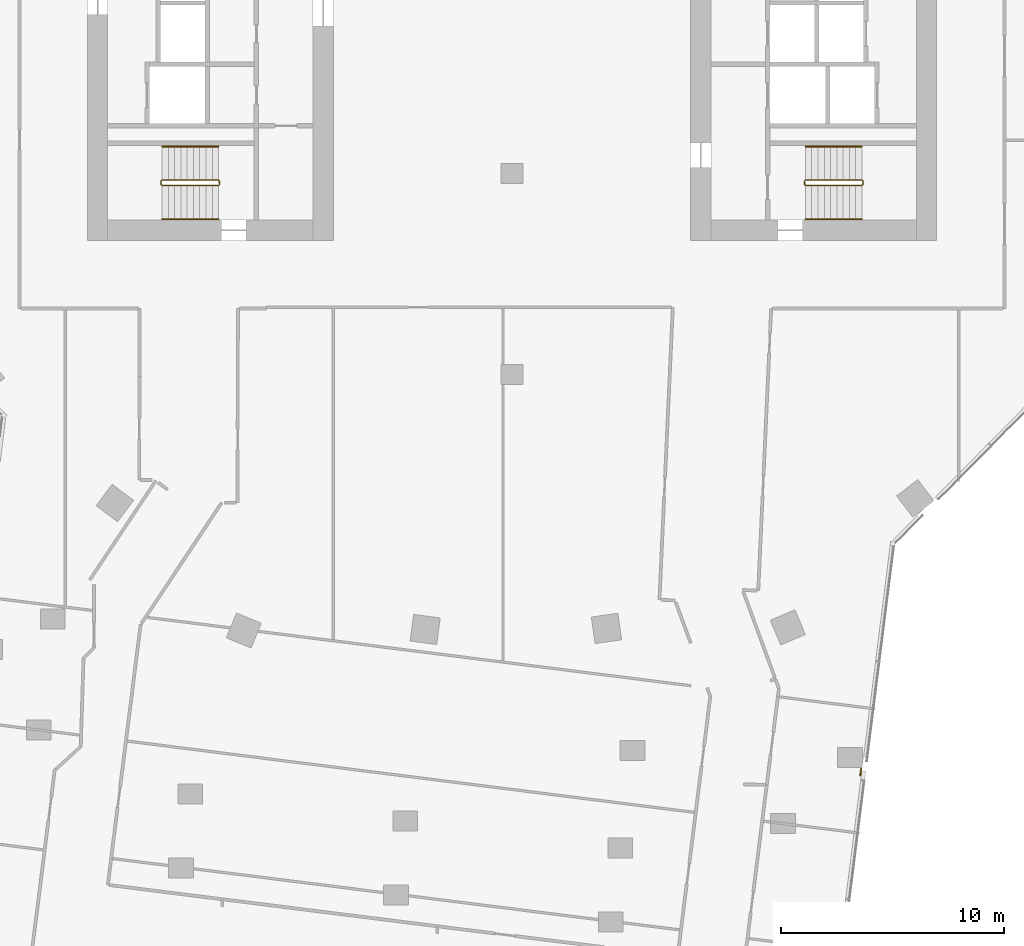
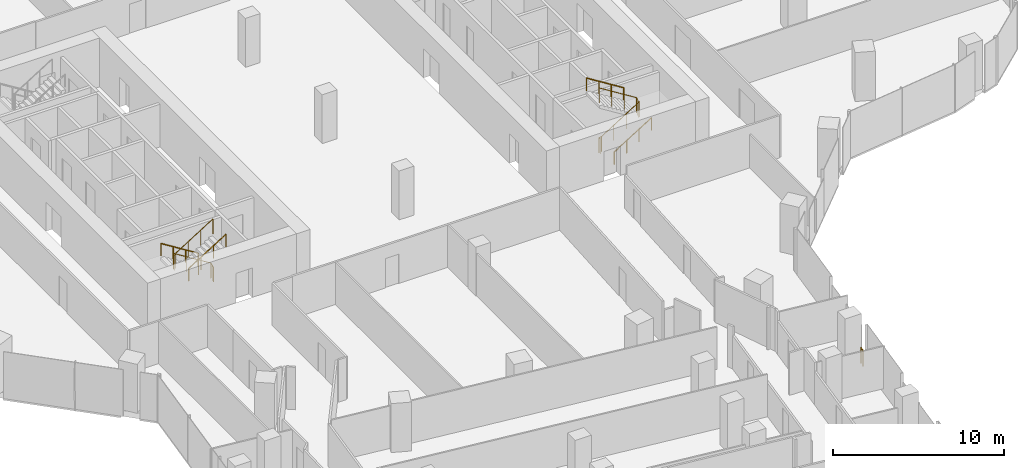
# One storey, part 25 of 27: 7 railings.
"""IFC4 building model written with IfcOpenShell, lengths in metres."""

from ifc_helpers import new_model, si_unit, direction, frame, origin, origin_2d, place, context, subcontext, project, spatial, circle, extrude, material, type_object, element, save


model = new_model("IFC4")

# Units and contexts
model_context = context("Model", 3, precision=1e-05, world=origin(), true_north=direction((0.0, 1.0)))
body_context = subcontext(model_context, "Body", "Model", "MODEL_VIEW")
ifc_project = project(units=[si_unit("LENGTHUNIT", "METRE"), si_unit("AREAUNIT", "SQUARE_METRE"), si_unit("VOLUMEUNIT", "CUBIC_METRE"), si_unit("PLANEANGLEUNIT", "RADIAN"), si_unit("MASSUNIT", "GRAM", prefix="KILO")], contexts=[model_context])

# Site, building, storey
site_placement = place(None, origin())
site = spatial("IfcSite", under=ifc_project, at=site_placement, CompositionType="ELEMENT")
building_placement = place(site_placement, origin())
building = spatial("IfcBuilding", under=site, at=building_placement, Name="Orlundy Tower", CompositionType="ELEMENT")
storey_placement = place(building_placement, frame((0.0, 0.0, 202.60009765625)))
storey = spatial("IfcBuildingStorey", under=building, at=storey_placement, Name="L53", CompositionType="ELEMENT", Elevation=202.60009765625)

# Railings
ifc_material_1 = material(Name="Steel balustrade", Category="steel")
railing_type_1 = type_object("IfcRailingType", Name="Stair Guard 1100", PredefinedType="GUARDRAIL", material=ifc_material_1)
railing_1_placement = place(storey_placement, frame((-13.090087890625, -9.35009765625, 0.0)))
element("IfcRailing", 1, at=railing_1_placement, inside=storey, type_object=railing_type_1, Name="L53 ST-W2 stair guard 1", PredefinedType="GUARDRAIL", context=body_context, shape_type="SweptSolid", body=[
    extrude(circle(Radius=0.02392578125, at=origin_2d()), frame((0.0, 0.0, 1.076171875), z_axis=(0.0, -1.0, 0.0), x_axis=(1.0, 0.0, 0.0)), (0.0, 0.0, 1.0), 0.14990234375),
    extrude(circle(Radius=0.02392578125, at=origin_2d()), frame((0.0, -0.14990234375, 1.076171875), z_axis=(-0.184313129624, 0.739963005698, 0.646902945152), x_axis=(-0.970351222016, -0.241699205484, 0.0)), (0.0, 0.0, 1.0), 0.270263671875),
    extrude(circle(Radius=0.02392578125, at=origin_2d()), frame((-0.0498046875, 0.050048828125, 1.2509765625), z_axis=(-0.847970611238, 0.0, 0.530043245855), x_axis=(0.0, -1.0, 0.0)), (0.0, 0.0, 1.0), 2.971923828125),
    extrude(circle(Radius=0.02392578125, at=origin_2d()), frame((-2.56982421875, 0.050048828125, 2.826171875), z_axis=(-0.707106781187, -0.707106781187, 0.0), x_axis=(0.707106781187, -0.707106781187, 0.0)), (0.0, 0.0, 1.0), 0.07080078125),
    extrude(circle(Radius=0.02392578125, at=origin_2d()), frame((-2.619873046875, 0.0, 2.826171875), z_axis=(0.0, -1.0, 0.0), x_axis=(1.0, 0.0, 0.0)), (0.0, 0.0, 1.0), 0.14990234375),
    extrude(circle(Radius=0.02392578125, at=origin_2d()), frame((-2.619873046875, -0.14990234375, 2.826171875), z_axis=(0.265383341853, -0.265383341853, 0.926899867156), x_axis=(0.707106781187, 0.707106781187, 0.0)), (0.0, 0.0, 1.0), 0.1884765625),
    extrude(circle(Radius=0.02392578125, at=origin_2d()), frame((-2.56982421875, -0.199951171875, 3.0009765625), z_axis=(0.847970611238, 0.0, 0.530043245855), x_axis=(0.0, 1.0, 0.0)), (0.0, 0.0, 1.0), 2.971923828125),
    extrude(circle(Radius=0.02099609375, at=origin_2d()), origin(), (0.0, 0.0, 1.0), 1.052001953125),
    extrude(circle(Radius=0.02099609375, at=origin_2d()), frame((0.0, -0.14990234375, 0.0)), (0.0, 0.0, 1.0), 1.052001953125),
    extrude(circle(Radius=0.02099609375, at=origin_2d()), frame((-0.0498046875, 0.050048828125, 0.1748046875)), (0.0, 0.0, 1.0), 1.052001953125),
    extrude(circle(Radius=0.02099609375, at=origin_2d()), frame((-0.889892578125, 0.050048828125, 0.699951171875)), (0.0, 0.0, 1.0), 1.052001953125),
    extrude(circle(Radius=0.02099609375, at=origin_2d()), frame((-1.729736328125, 0.050048828125, 1.224853515625)), (0.0, 0.0, 1.0), 1.052001953125),
    extrude(circle(Radius=0.02099609375, at=origin_2d()), frame((-2.56982421875, 0.050048828125, 1.75)), (0.0, 0.0, 1.0), 1.052001953125),
    extrude(circle(Radius=0.02099609375, at=origin_2d()), frame((-2.619873046875, 0.0, 1.75)), (0.0, 0.0, 1.0), 1.052001953125),
    extrude(circle(Radius=0.02099609375, at=origin_2d()), frame((-2.619873046875, -0.14990234375, 1.75)), (0.0, 0.0, 1.0), 1.052001953125),
    extrude(circle(Radius=0.02099609375, at=origin_2d()), frame((-2.56982421875, -0.199951171875, 1.9248046875)), (0.0, 0.0, 1.0), 1.052001953125),
    extrude(circle(Radius=0.02099609375, at=origin_2d()), frame((-1.729736328125, -0.199951171875, 2.449951171875)), (0.0, 0.0, 1.0), 1.052001953125),
    extrude(circle(Radius=0.02099609375, at=origin_2d()), frame((-0.889892578125, -0.199951171875, 2.974853515625)), (0.0, 0.0, 1.0), 1.052001953125),
    extrude(circle(Radius=0.02099609375, at=origin_2d()), frame((-0.0498046875, -0.199951171875, 3.5)), (0.0, 0.0, 1.0), 1.052001953125),
])
railing_2_placement = place(storey_placement, frame((13.090087890625, -9.5, 0.0)))
element("IfcRailing", 2, at=railing_2_placement, inside=storey, type_object=railing_type_1, Name="L53 ST-E1 stair guard 1", PredefinedType="GUARDRAIL", context=body_context, shape_type="SweptSolid", body=[
    extrude(circle(Radius=0.02392578125, at=origin_2d()), frame((0.0, 0.0, 1.076171875), z_axis=(0.0, 1.0, 0.0), x_axis=(-1.0, 0.0, 0.0)), (0.0, 0.0, 1.0), 0.14990234375),
    extrude(circle(Radius=0.02392578125, at=origin_2d()), frame((0.0, 0.14990234375, 1.076171875), z_axis=(0.184313129624, -0.739963005698, 0.646902945152), x_axis=(0.970351222016, 0.241699205484, 0.0)), (0.0, 0.0, 1.0), 0.270263671875),
    extrude(circle(Radius=0.02392578125, at=origin_2d()), frame((0.0498046875, -0.050048828125, 1.2509765625), z_axis=(0.847970611238, 0.0, 0.530043245855), x_axis=(0.0, 1.0, 0.0)), (0.0, 0.0, 1.0), 2.971923828125),
    extrude(circle(Radius=0.02392578125, at=origin_2d()), frame((2.56982421875, -0.050048828125, 2.826171875), z_axis=(0.707106781187, 0.707106781187, 0.0), x_axis=(-0.707106781187, 0.707106781187, 0.0)), (0.0, 0.0, 1.0), 0.07080078125),
    extrude(circle(Radius=0.02392578125, at=origin_2d()), frame((2.619873046875, 0.0, 2.826171875), z_axis=(0.0, 1.0, 0.0), x_axis=(-1.0, 0.0, 0.0)), (0.0, 0.0, 1.0), 0.14990234375),
    extrude(circle(Radius=0.02392578125, at=origin_2d()), frame((2.619873046875, 0.14990234375, 2.826171875), z_axis=(-0.265383341853, 0.265383341853, 0.926899867156), x_axis=(-0.707106781187, -0.707106781187, 0.0)), (0.0, 0.0, 1.0), 0.1884765625),
    extrude(circle(Radius=0.02392578125, at=origin_2d()), frame((2.56982421875, 0.199951171875, 3.0009765625), z_axis=(-0.847970611238, 0.0, 0.530043245855), x_axis=(0.0, -1.0, 0.0)), (0.0, 0.0, 1.0), 2.971923828125),
    extrude(circle(Radius=0.02099609375, at=origin_2d()), origin(), (0.0, 0.0, 1.0), 1.052001953125),
    extrude(circle(Radius=0.02099609375, at=origin_2d()), frame((0.0, 0.14990234375, 0.0)), (0.0, 0.0, 1.0), 1.052001953125),
    extrude(circle(Radius=0.02099609375, at=origin_2d()), frame((0.0498046875, -0.050048828125, 0.1748046875)), (0.0, 0.0, 1.0), 1.052001953125),
    extrude(circle(Radius=0.02099609375, at=origin_2d()), frame((0.889892578125, -0.050048828125, 0.699951171875)), (0.0, 0.0, 1.0), 1.052001953125),
    extrude(circle(Radius=0.02099609375, at=origin_2d()), frame((1.729736328125, -0.050048828125, 1.224853515625)), (0.0, 0.0, 1.0), 1.052001953125),
    extrude(circle(Radius=0.02099609375, at=origin_2d()), frame((2.56982421875, -0.050048828125, 1.75)), (0.0, 0.0, 1.0), 1.052001953125),
    extrude(circle(Radius=0.02099609375, at=origin_2d()), frame((2.619873046875, 0.0, 1.75)), (0.0, 0.0, 1.0), 1.052001953125),
    extrude(circle(Radius=0.02099609375, at=origin_2d()), frame((2.619873046875, 0.14990234375, 1.75)), (0.0, 0.0, 1.0), 1.052001953125),
    extrude(circle(Radius=0.02099609375, at=origin_2d()), frame((2.56982421875, 0.199951171875, 1.9248046875)), (0.0, 0.0, 1.0), 1.052001953125),
    extrude(circle(Radius=0.02099609375, at=origin_2d()), frame((1.729736328125, 0.199951171875, 2.449951171875)), (0.0, 0.0, 1.0), 1.052001953125),
    extrude(circle(Radius=0.02099609375, at=origin_2d()), frame((0.889892578125, 0.199951171875, 2.974853515625)), (0.0, 0.0, 1.0), 1.052001953125),
    extrude(circle(Radius=0.02099609375, at=origin_2d()), frame((0.0498046875, 0.199951171875, 3.5)), (0.0, 0.0, 1.0), 1.052001953125),
])
ifc_material_2 = material(Name="Steel handrail", Category="steel")
railing_type_2 = type_object("IfcRailingType", Name="Stair Handrail 900", PredefinedType="HANDRAIL", material=ifc_material_2)
railing_3_placement = place(storey_placement, frame((-13.139892578125, -7.800048828125, 0.1748046875)))
element("IfcRailing", 3, at=railing_3_placement, inside=storey, type_object=railing_type_2, Name="L53 ST-W2 stair handrail 1", PredefinedType="HANDRAIL", context=body_context, shape_type="SweptSolid", body=[
    extrude(circle(Radius=0.02392578125, at=origin_2d()), frame((0.0, 0.0, 0.8759765625), z_axis=(-0.847970611238, 0.0, 0.530043245855), x_axis=(0.0, -1.0, 0.0)), (0.0, 0.0, 1.0), 2.971923828125),
    extrude(circle(Radius=0.02099609375, at=origin_2d()), origin(), (0.0, 0.0, 1.0), 0.851806640625),
    extrude(circle(Radius=0.02099609375, at=origin_2d()), frame((-0.840087890625, 0.0, 0.525146484375)), (0.0, 0.0, 1.0), 0.851806640625),
    extrude(circle(Radius=0.02099609375, at=origin_2d()), frame((-1.679931640625, 0.0, 1.050048828125)), (0.0, 0.0, 1.0), 0.851806640625),
    extrude(circle(Radius=0.02099609375, at=origin_2d()), frame((-2.52001953125, 0.0, 1.5751953125)), (0.0, 0.0, 1.0), 0.851806640625),
])
for number, where, name in (
    (4, (-15.659912109375, -11.050048828125, 1.9248046875), "L53 ST-W2 stair handrail 2"),
    (5, (13.139892578125, -11.050048828125, 0.1748046875), "L53 ST-E1 stair handrail 1"),
):
    element("IfcRailing", number, at=place(storey_placement, frame(where)), inside=storey, type_object=railing_type_2, Name=name, PredefinedType="HANDRAIL", context=body_context, shape_type="SweptSolid", body=[
        extrude(circle(Radius=0.02392578125, at=origin_2d()), frame((0.0, 0.0, 0.8759765625), z_axis=(0.847970611238, 0.0, 0.530043245855), x_axis=(0.0, 1.0, 0.0)), (0.0, 0.0, 1.0), 2.971923828125),
        extrude(circle(Radius=0.02099609375, at=origin_2d()), origin(), (0.0, 0.0, 1.0), 0.851806640625),
        extrude(circle(Radius=0.02099609375, at=origin_2d()), frame((0.840087890625, 0.0, 0.525146484375)), (0.0, 0.0, 1.0), 0.851806640625),
        extrude(circle(Radius=0.02099609375, at=origin_2d()), frame((1.679931640625, 0.0, 1.050048828125)), (0.0, 0.0, 1.0), 0.851806640625),
        extrude(circle(Radius=0.02099609375, at=origin_2d()), frame((2.52001953125, 0.0, 1.5751953125)), (0.0, 0.0, 1.0), 0.851806640625),
    ])
railing_4_placement = place(storey_placement, frame((15.659912109375, -7.800048828125, 1.9248046875)))
element("IfcRailing", 6, at=railing_4_placement, inside=storey, type_object=railing_type_2, Name="L53 ST-E1 stair handrail 2", PredefinedType="HANDRAIL", context=body_context, shape_type="SweptSolid", body=[
    extrude(circle(Radius=0.02392578125, at=origin_2d()), frame((0.0, 0.0, 0.8759765625), z_axis=(-0.847970611238, 0.0, 0.530043245855), x_axis=(0.0, -1.0, 0.0)), (0.0, 0.0, 1.0), 2.971923828125),
    extrude(circle(Radius=0.02099609375, at=origin_2d()), origin(), (0.0, 0.0, 1.0), 0.851806640625),
    extrude(circle(Radius=0.02099609375, at=origin_2d()), frame((-0.840087890625, 0.0, 0.525146484375)), (0.0, 0.0, 1.0), 0.851806640625),
    extrude(circle(Radius=0.02099609375, at=origin_2d()), frame((-1.679931640625, 0.0, 1.050048828125)), (0.0, 0.0, 1.0), 0.851806640625),
    extrude(circle(Radius=0.02099609375, at=origin_2d()), frame((-2.52001953125, 0.0, 1.5751953125)), (0.0, 0.0, 1.0), 0.851806640625),
])
ifc_material_3 = material(Name="Stainless steel bronze finish", Category="steel")
railing_type_3 = type_object("IfcRailingType", Name="TG1 terrace guard", PredefinedType="GUARDRAIL", material=ifc_material_3)
railing_5_placement = place(storey_placement, frame((15.635498046875, -35.64208984375, 0.0)))
element("IfcRailing", 7, at=railing_5_placement, inside=storey, type_object=railing_type_3, Name="Guard TG-L53-E00", PredefinedType="GUARDRAIL", context=body_context, shape_type="SweptSolid", body=[
    extrude(circle(Radius=0.02490234375, at=origin_2d()), frame((0.0, 0.0, 1.09521484375), z_axis=(-0.124888627995, -0.992170766853, 0.0), x_axis=(0.992170766853, -0.124888627995, 0.0)), (0.0, 0.0, 1.0), 0.316650390625),
    extrude(circle(Radius=0.02001953125, at=origin_2d()), origin(), (0.0, 0.0, 1.0), 1.070068359375),
    extrude(circle(Radius=0.02001953125, at=origin_2d()), frame((-0.03955078125, -0.314208984375, 0.0)), (0.0, 0.0, 1.0), 1.070068359375),
])

save(model, "model.ifc")
